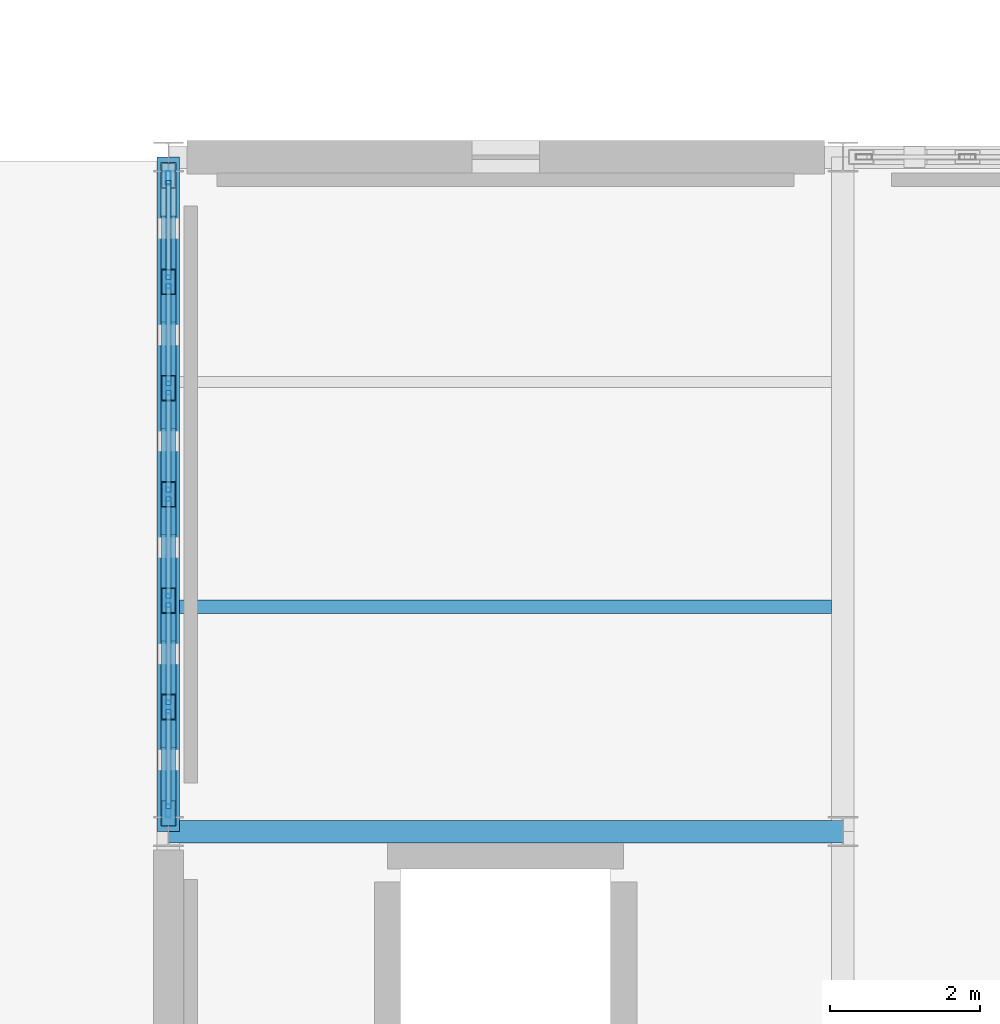
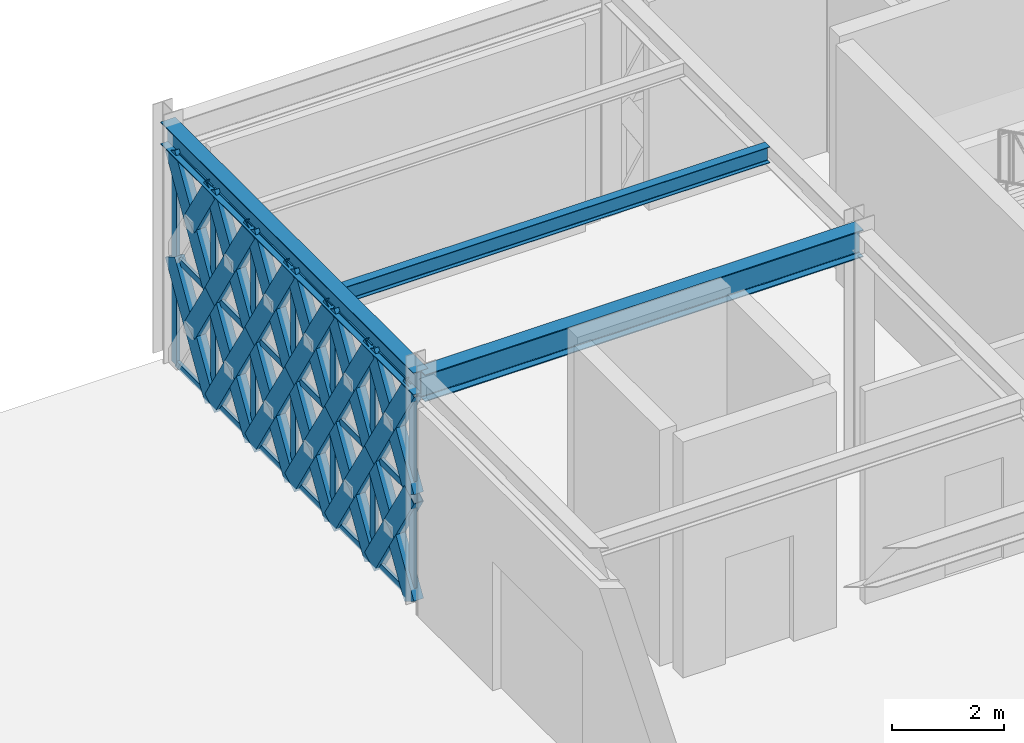
# One storey, part 65 of 140: 59 members, 3 beams, 1 element without a shape of its own.
"""IFC4 building model written with IfcOpenShell, lengths in metres."""

from ifc_helpers import new_model, si_unit, direction, frame, origin, origin_2d, place, context, subcontext, project, spatial, hollow_rectangle, i_section, extrude, material, material_profile, profile_set, type_object, element, aggregate, save


model = new_model("IFC4")

# Units and contexts
model_context = context("Model", 3, precision=1e-05, world=origin(), true_north=direction((0.0, 1.0)))
body_context = subcontext(model_context, "Body", "Model", "MODEL_VIEW")
ifc_project = project(units=[si_unit("LENGTHUNIT", "METRE"), si_unit("AREAUNIT", "SQUARE_METRE"), si_unit("VOLUMEUNIT", "CUBIC_METRE"), si_unit("PLANEANGLEUNIT", "RADIAN"), si_unit("MASSUNIT", "GRAM", prefix="KILO")], contexts=[model_context])

# Site, building, storey
site_placement = place(None, origin())
site = spatial("IfcSite", under=ifc_project, at=site_placement, CompositionType="ELEMENT")
building_placement = place(site_placement, origin())
building = spatial("IfcBuilding", under=site, at=building_placement, Name="Haizhuo Lancet Aquarium", CompositionType="ELEMENT")
storey_placement = place(building_placement, origin())
storey = spatial("IfcBuildingStorey", under=building, at=storey_placement, Name="L00", CompositionType="ELEMENT", Elevation=0.0)

# Beams
ifc_material_1 = material(Name="Steel S355", Category="steel")
ifc_material_profile_1 = material_profile(ifc_material_1, i_section(OverallWidth=0.300048828125, OverallDepth=0.488037109375, WebThickness=0.010986328125, FlangeThickness=0.01806640625, FilletRadius=0.02392578125, at=origin_2d()), Name="HM 488x300x11x18")
ifc_profile_set_1 = profile_set([ifc_material_profile_1], Name="Steel S355")
beam_type_1 = type_object("IfcBeamType", Name="BM-ST-HM488", PredefinedType="BEAM", material=ifc_profile_set_1)
beam_1_placement = place(storey_placement, frame((36.0, 27.0, 4.8759765625), z_axis=(0.0, 1.0, 0.0), x_axis=(-1.0, 0.0, 0.0)))
element("IfcBeam", 1, at=beam_1_placement, inside=storey, type_object=beam_type_1, Name="L00 V7 primary girder BM-L00-V7-004", PredefinedType="BEAM", context=body_context, shape_type="SweptSolid", body=[
    extrude(i_section(OverallWidth=0.300048828125, OverallDepth=0.488037109375, WebThickness=0.010986328125, FlangeThickness=0.01806640625, FilletRadius=0.02392578125, at=origin_2d()), origin(), (0.0, 0.0, 1.0), 9.0),
])
ifc_material_profile_2 = material_profile(ifc_material_1, i_section(OverallWidth=0.300048828125, OverallDepth=0.587890625, WebThickness=0.011962890625, FlangeThickness=0.02001953125, FilletRadius=0.02587890625, at=origin_2d()), Name="HM 588x300x12x20")
ifc_profile_set_2 = profile_set([ifc_material_profile_2], Name="Steel S355")
beam_type_2 = type_object("IfcBeamType", Name="BM-ST-HM588", PredefinedType="BEAM", material=ifc_profile_set_2)
beam_2_placement = place(storey_placement, frame((36.0, 27.0, 4.825927734375), z_axis=(1.0, 0.0, 0.0), x_axis=(0.0, 1.0, 0.0)))
element("IfcBeam", 2, at=beam_2_placement, inside=storey, type_object=beam_type_2, Name="L00 V7 primary girder BM-L00-V7-005", PredefinedType="BEAM", context=body_context, shape_type="SweptSolid", body=[
    extrude(i_section(OverallWidth=0.300048828125, OverallDepth=0.587890625, WebThickness=0.011962890625, FlangeThickness=0.02001953125, FilletRadius=0.02587890625, at=origin_2d()), origin(), (0.0, 0.0, 1.0), 9.0),
])

# Curtain wall, members
ifc_material_2 = material(Name="Aluminium 6063-T6", Category="aluminium")
curtain_wall_type = type_object("IfcCurtainWallType", Name="CWD-8510x4630", PredefinedType="NOTDEFINED", material=ifc_material_2)
curtain_wall_placement = place(storey_placement, origin())
curtain_wall = element("IfcCurtainWall", 3, at=curtain_wall_placement, inside=storey, type_object=curtain_wall_type, Name="L00 curtain wall CW-V7-L00-283", PredefinedType="NOTDEFINED")
ifc_material_profile_3 = material_profile(ifc_material_2, hollow_rectangle(XDim=0.06494140625, YDim=0.179931640625, WallThickness=0.00390625, at=origin_2d()), Name="ALU-M 65x180x4")
ifc_profile_set_3 = profile_set([ifc_material_profile_3], Name="Aluminium 6063-T6")
member_type_1 = type_object("IfcMemberType", Name="CW-MUL-1", PredefinedType="MULLION", material=ifc_profile_set_3)
member_1_placement = place(storey_placement, frame((36.0, 27.277099609375, 0.0), z_axis=(0.0, 0.0, 1.0), x_axis=(-1.0, 0.0, 0.0)))
member_1 = element("IfcMember", 4, at=member_1_placement, type_object=member_type_1, Name="CWD-85x46 mullion 1", PredefinedType="MULLION", context=body_context, shape_type="SweptSolid", body=[
    extrude(hollow_rectangle(XDim=0.06494140625, YDim=0.179931640625, WallThickness=0.00390625, at=origin_2d()), origin(), (0.0, 0.0, 1.0), 4.632080078125),
])
member_2_placement = place(storey_placement, frame((36.0, 28.6630859375, 0.0), z_axis=(0.0, 0.0, 1.0), x_axis=(-1.0, 0.0, 0.0)))
member_2 = element("IfcMember", 5, at=member_2_placement, type_object=member_type_1, Name="CWD-85x46 mullion 2", PredefinedType="MULLION", context=body_context, shape_type="SweptSolid", body=[
    extrude(hollow_rectangle(XDim=0.06494140625, YDim=0.179931640625, WallThickness=0.00390625, at=origin_2d()), origin(), (0.0, 0.0, 1.0), 4.632080078125),
])
member_3_placement = place(storey_placement, frame((36.0, 30.08203125, 0.0), z_axis=(0.0, 0.0, 1.0), x_axis=(-1.0, 0.0, 0.0)))
member_3 = element("IfcMember", 6, at=member_3_placement, type_object=member_type_1, Name="CWD-85x46 mullion 3", PredefinedType="MULLION", context=body_context, shape_type="SweptSolid", body=[
    extrude(hollow_rectangle(XDim=0.06494140625, YDim=0.179931640625, WallThickness=0.00390625, at=origin_2d()), origin(), (0.0, 0.0, 1.0), 4.632080078125),
])
member_4_placement = place(storey_placement, frame((36.0, 31.5, 0.0), z_axis=(0.0, 0.0, 1.0), x_axis=(-1.0, 0.0, 0.0)))
member_4 = element("IfcMember", 7, at=member_4_placement, type_object=member_type_1, Name="CWD-85x46 mullion 4", PredefinedType="MULLION", context=body_context, shape_type="SweptSolid", body=[
    extrude(hollow_rectangle(XDim=0.06494140625, YDim=0.179931640625, WallThickness=0.00390625, at=origin_2d()), origin(), (0.0, 0.0, 1.0), 4.632080078125),
])
member_5_placement = place(storey_placement, frame((36.0, 32.91796875, 0.0), z_axis=(0.0, 0.0, 1.0), x_axis=(-1.0, 0.0, 0.0)))
member_5 = element("IfcMember", 8, at=member_5_placement, type_object=member_type_1, Name="CWD-85x46 mullion 5", PredefinedType="MULLION", context=body_context, shape_type="SweptSolid", body=[
    extrude(hollow_rectangle(XDim=0.06494140625, YDim=0.179931640625, WallThickness=0.00390625, at=origin_2d()), origin(), (0.0, 0.0, 1.0), 4.632080078125),
])
member_6_placement = place(storey_placement, frame((36.0, 34.3369140625, 0.0), z_axis=(0.0, 0.0, 1.0), x_axis=(-1.0, 0.0, 0.0)))
member_6 = element("IfcMember", 9, at=member_6_placement, type_object=member_type_1, Name="CWD-85x46 mullion 6", PredefinedType="MULLION", context=body_context, shape_type="SweptSolid", body=[
    extrude(hollow_rectangle(XDim=0.06494140625, YDim=0.179931640625, WallThickness=0.00390625, at=origin_2d()), origin(), (0.0, 0.0, 1.0), 4.632080078125),
])
member_7_placement = place(storey_placement, frame((36.0, 35.722900390625, 0.0), z_axis=(0.0, 0.0, 1.0), x_axis=(-1.0, 0.0, 0.0)))
member_7 = element("IfcMember", 10, at=member_7_placement, type_object=member_type_1, Name="CWD-85x46 mullion 7", PredefinedType="MULLION", context=body_context, shape_type="SweptSolid", body=[
    extrude(hollow_rectangle(XDim=0.06494140625, YDim=0.179931640625, WallThickness=0.00390625, at=origin_2d()), origin(), (0.0, 0.0, 1.0), 4.632080078125),
])
ifc_material_profile_4 = material_profile(ifc_material_2, hollow_rectangle(XDim=0.06494140625, YDim=0.139892578125, WallThickness=0.00390625, at=origin_2d()), Name="ALU-T 65x140x4")
ifc_profile_set_4 = profile_set([ifc_material_profile_4], Name="Aluminium 6063-T6")
member_type_2 = type_object("IfcMemberType", Name="CW-TRN-1", PredefinedType="NOTDEFINED", material=ifc_profile_set_4)
member_8_placement = place(storey_placement, frame((36.0, 27.31005859375, 0.032958984375), z_axis=(0.0, 1.0, 0.0), x_axis=(-1.0, 0.0, 0.0)))
member_8 = element("IfcMember", 11, at=member_8_placement, type_object=member_type_2, Name="CWD-85x46 transom 1.1", ObjectType="TRANSOM", PredefinedType="USERDEFINED", context=body_context, shape_type="SweptSolid", body=[
    extrude(hollow_rectangle(XDim=0.06494140625, YDim=0.139892578125, WallThickness=0.00390625, at=origin_2d()), origin(), (0.0, 0.0, 1.0), 1.321044921875),
])
member_9_placement = place(storey_placement, frame((36.0, 27.31005859375, 2.31591796875), z_axis=(0.0, 1.0, 0.0), x_axis=(-1.0, 0.0, 0.0)))
member_9 = element("IfcMember", 12, at=member_9_placement, type_object=member_type_2, Name="CWD-85x46 transom 1.2", ObjectType="TRANSOM", PredefinedType="USERDEFINED", context=body_context, shape_type="SweptSolid", body=[
    extrude(hollow_rectangle(XDim=0.06494140625, YDim=0.139892578125, WallThickness=0.00390625, at=origin_2d()), origin(), (0.0, 0.0, 1.0), 1.321044921875),
])
member_10_placement = place(storey_placement, frame((36.0, 27.31005859375, 4.59912109375), z_axis=(0.0, 1.0, 0.0), x_axis=(-1.0, 0.0, 0.0)))
member_10 = element("IfcMember", 13, at=member_10_placement, type_object=member_type_2, Name="CWD-85x46 transom 1.3", ObjectType="TRANSOM", PredefinedType="USERDEFINED", context=body_context, shape_type="SweptSolid", body=[
    extrude(hollow_rectangle(XDim=0.06494140625, YDim=0.139892578125, WallThickness=0.00390625, at=origin_2d()), origin(), (0.0, 0.0, 1.0), 1.321044921875),
])
member_11_placement = place(storey_placement, frame((36.0, 28.696044921875, 0.032958984375), z_axis=(0.0, 1.0, 0.0), x_axis=(-1.0, 0.0, 0.0)))
member_11 = element("IfcMember", 14, at=member_11_placement, type_object=member_type_2, Name="CWD-85x46 transom 2.1", ObjectType="TRANSOM", PredefinedType="USERDEFINED", context=body_context, shape_type="SweptSolid", body=[
    extrude(hollow_rectangle(XDim=0.06494140625, YDim=0.139892578125, WallThickness=0.00390625, at=origin_2d()), origin(), (0.0, 0.0, 1.0), 1.35302734375),
])
member_12_placement = place(storey_placement, frame((36.0, 28.696044921875, 2.31591796875), z_axis=(0.0, 1.0, 0.0), x_axis=(-1.0, 0.0, 0.0)))
member_12 = element("IfcMember", 15, at=member_12_placement, type_object=member_type_2, Name="CWD-85x46 transom 2.2", ObjectType="TRANSOM", PredefinedType="USERDEFINED", context=body_context, shape_type="SweptSolid", body=[
    extrude(hollow_rectangle(XDim=0.06494140625, YDim=0.139892578125, WallThickness=0.00390625, at=origin_2d()), origin(), (0.0, 0.0, 1.0), 1.35302734375),
])
member_13_placement = place(storey_placement, frame((36.0, 28.696044921875, 4.59912109375), z_axis=(0.0, 1.0, 0.0), x_axis=(-1.0, 0.0, 0.0)))
member_13 = element("IfcMember", 16, at=member_13_placement, type_object=member_type_2, Name="CWD-85x46 transom 2.3", ObjectType="TRANSOM", PredefinedType="USERDEFINED", context=body_context, shape_type="SweptSolid", body=[
    extrude(hollow_rectangle(XDim=0.06494140625, YDim=0.139892578125, WallThickness=0.00390625, at=origin_2d()), origin(), (0.0, 0.0, 1.0), 1.35302734375),
])
member_14_placement = place(storey_placement, frame((36.0, 30.114013671875, 0.032958984375), z_axis=(0.0, 1.0, 0.0), x_axis=(-1.0, 0.0, 0.0)))
member_14 = element("IfcMember", 17, at=member_14_placement, type_object=member_type_2, Name="CWD-85x46 transom 3.1", ObjectType="TRANSOM", PredefinedType="USERDEFINED", context=body_context, shape_type="SweptSolid", body=[
    extrude(hollow_rectangle(XDim=0.06494140625, YDim=0.139892578125, WallThickness=0.00390625, at=origin_2d()), origin(), (0.0, 0.0, 1.0), 1.35400390625),
])
member_15_placement = place(storey_placement, frame((36.0, 30.114013671875, 2.31591796875), z_axis=(0.0, 1.0, 0.0), x_axis=(-1.0, 0.0, 0.0)))
member_15 = element("IfcMember", 18, at=member_15_placement, type_object=member_type_2, Name="CWD-85x46 transom 3.2", ObjectType="TRANSOM", PredefinedType="USERDEFINED", context=body_context, shape_type="SweptSolid", body=[
    extrude(hollow_rectangle(XDim=0.06494140625, YDim=0.139892578125, WallThickness=0.00390625, at=origin_2d()), origin(), (0.0, 0.0, 1.0), 1.35400390625),
])
member_16_placement = place(storey_placement, frame((36.0, 30.114013671875, 4.59912109375), z_axis=(0.0, 1.0, 0.0), x_axis=(-1.0, 0.0, 0.0)))
member_16 = element("IfcMember", 19, at=member_16_placement, type_object=member_type_2, Name="CWD-85x46 transom 3.3", ObjectType="TRANSOM", PredefinedType="USERDEFINED", context=body_context, shape_type="SweptSolid", body=[
    extrude(hollow_rectangle(XDim=0.06494140625, YDim=0.139892578125, WallThickness=0.00390625, at=origin_2d()), origin(), (0.0, 0.0, 1.0), 1.35400390625),
])
member_17_placement = place(storey_placement, frame((36.0, 31.532958984375, 0.032958984375), z_axis=(0.0, 1.0, 0.0), x_axis=(-1.0, 0.0, 0.0)))
member_17 = element("IfcMember", 20, at=member_17_placement, type_object=member_type_2, Name="CWD-85x46 transom 4.1", ObjectType="TRANSOM", PredefinedType="USERDEFINED", context=body_context, shape_type="SweptSolid", body=[
    extrude(hollow_rectangle(XDim=0.06494140625, YDim=0.139892578125, WallThickness=0.00390625, at=origin_2d()), origin(), (0.0, 0.0, 1.0), 1.35302734375),
])
member_18_placement = place(storey_placement, frame((36.0, 31.532958984375, 2.31591796875), z_axis=(0.0, 1.0, 0.0), x_axis=(-1.0, 0.0, 0.0)))
member_18 = element("IfcMember", 21, at=member_18_placement, type_object=member_type_2, Name="CWD-85x46 transom 4.2", ObjectType="TRANSOM", PredefinedType="USERDEFINED", context=body_context, shape_type="SweptSolid", body=[
    extrude(hollow_rectangle(XDim=0.06494140625, YDim=0.139892578125, WallThickness=0.00390625, at=origin_2d()), origin(), (0.0, 0.0, 1.0), 1.35302734375),
])
member_19_placement = place(storey_placement, frame((36.0, 31.532958984375, 4.59912109375), z_axis=(0.0, 1.0, 0.0), x_axis=(-1.0, 0.0, 0.0)))
member_19 = element("IfcMember", 22, at=member_19_placement, type_object=member_type_2, Name="CWD-85x46 transom 4.3", ObjectType="TRANSOM", PredefinedType="USERDEFINED", context=body_context, shape_type="SweptSolid", body=[
    extrude(hollow_rectangle(XDim=0.06494140625, YDim=0.139892578125, WallThickness=0.00390625, at=origin_2d()), origin(), (0.0, 0.0, 1.0), 1.35302734375),
])
member_20_placement = place(storey_placement, frame((36.0, 32.950927734375, 0.032958984375), z_axis=(0.0, 1.0, 0.0), x_axis=(-1.0, 0.0, 0.0)))
member_20 = element("IfcMember", 23, at=member_20_placement, type_object=member_type_2, Name="CWD-85x46 transom 5.1", ObjectType="TRANSOM", PredefinedType="USERDEFINED", context=body_context, shape_type="SweptSolid", body=[
    extrude(hollow_rectangle(XDim=0.06494140625, YDim=0.139892578125, WallThickness=0.00390625, at=origin_2d()), origin(), (0.0, 0.0, 1.0), 1.35302734375),
])
member_21_placement = place(storey_placement, frame((36.0, 32.950927734375, 2.31591796875), z_axis=(0.0, 1.0, 0.0), x_axis=(-1.0, 0.0, 0.0)))
member_21 = element("IfcMember", 24, at=member_21_placement, type_object=member_type_2, Name="CWD-85x46 transom 5.2", ObjectType="TRANSOM", PredefinedType="USERDEFINED", context=body_context, shape_type="SweptSolid", body=[
    extrude(hollow_rectangle(XDim=0.06494140625, YDim=0.139892578125, WallThickness=0.00390625, at=origin_2d()), origin(), (0.0, 0.0, 1.0), 1.35302734375),
])
member_22_placement = place(storey_placement, frame((36.0, 32.950927734375, 4.59912109375), z_axis=(0.0, 1.0, 0.0), x_axis=(-1.0, 0.0, 0.0)))
member_22 = element("IfcMember", 25, at=member_22_placement, type_object=member_type_2, Name="CWD-85x46 transom 5.3", ObjectType="TRANSOM", PredefinedType="USERDEFINED", context=body_context, shape_type="SweptSolid", body=[
    extrude(hollow_rectangle(XDim=0.06494140625, YDim=0.139892578125, WallThickness=0.00390625, at=origin_2d()), origin(), (0.0, 0.0, 1.0), 1.35302734375),
])
member_23_placement = place(storey_placement, frame((36.0, 34.368896484375, 0.032958984375), z_axis=(0.0, 1.0, 0.0), x_axis=(-1.0, 0.0, 0.0)))
member_23 = element("IfcMember", 26, at=member_23_placement, type_object=member_type_2, Name="CWD-85x46 transom 6.1", ObjectType="TRANSOM", PredefinedType="USERDEFINED", context=body_context, shape_type="SweptSolid", body=[
    extrude(hollow_rectangle(XDim=0.06494140625, YDim=0.139892578125, WallThickness=0.00390625, at=origin_2d()), origin(), (0.0, 0.0, 1.0), 1.321044921875),
])
member_24_placement = place(storey_placement, frame((36.0, 34.368896484375, 2.31591796875), z_axis=(0.0, 1.0, 0.0), x_axis=(-1.0, 0.0, 0.0)))
member_24 = element("IfcMember", 27, at=member_24_placement, type_object=member_type_2, Name="CWD-85x46 transom 6.2", ObjectType="TRANSOM", PredefinedType="USERDEFINED", context=body_context, shape_type="SweptSolid", body=[
    extrude(hollow_rectangle(XDim=0.06494140625, YDim=0.139892578125, WallThickness=0.00390625, at=origin_2d()), origin(), (0.0, 0.0, 1.0), 1.321044921875),
])
member_25_placement = place(storey_placement, frame((36.0, 34.368896484375, 4.59912109375), z_axis=(0.0, 1.0, 0.0), x_axis=(-1.0, 0.0, 0.0)))
member_25 = element("IfcMember", 28, at=member_25_placement, type_object=member_type_2, Name="CWD-85x46 transom 6.3", ObjectType="TRANSOM", PredefinedType="USERDEFINED", context=body_context, shape_type="SweptSolid", body=[
    extrude(hollow_rectangle(XDim=0.06494140625, YDim=0.139892578125, WallThickness=0.00390625, at=origin_2d()), origin(), (0.0, 0.0, 1.0), 1.321044921875),
])
aggregate(curtain_wall, [member_1, member_2, member_3, member_4, member_5, member_6, member_7, member_8, member_9, member_10, member_11, member_12, member_13, member_14, member_15, member_16, member_17, member_18, member_19, member_20, member_21, member_22, member_23, member_24, member_25])

# Beam
ifc_material_profile_5 = material_profile(ifc_material_1, i_section(OverallWidth=0.175048828125, OverallDepth=0.35009765625, WebThickness=0.007080078125, FlangeThickness=0.010986328125, FilletRadius=0.013916015625, at=origin_2d()), Name="HN 350x175x7x11")
ifc_profile_set_5 = profile_set([ifc_material_profile_5], Name="Steel S355")
beam_type_3 = type_object("IfcBeamType", Name="JST-ST-HN350", PredefinedType="JOIST", material=ifc_profile_set_5)
beam_3_placement = place(storey_placement, frame((36.14990234375, 30.0, 4.945068359375), z_axis=(1.0, 0.0, 0.0), x_axis=(0.0, 1.0, 0.0)))
element("IfcBeam", 29, at=beam_3_placement, inside=storey, type_object=beam_type_3, Name="L00 V7 secondary floor joist 2", PredefinedType="JOIST", context=body_context, shape_type="SweptSolid", body=[
    extrude(i_section(OverallWidth=0.175048828125, OverallDepth=0.35009765625, WebThickness=0.007080078125, FlangeThickness=0.010986328125, FilletRadius=0.013916015625, at=origin_2d()), origin(), (0.0, 0.0, 1.0), 8.7001953125),
])

# Members
ifc_material_profile_6 = material_profile(ifc_material_1, hollow_rectangle(XDim=0.199951171875, YDim=0.39990234375, WallThickness=0.011962890625, at=origin_2d()), Name="RHS 200x400x12")
ifc_profile_set_6 = profile_set([ifc_material_profile_6], Name="Steel S355")
member_type_3 = type_object("IfcMemberType", Name="MEM-LB-RHS200x400", PredefinedType="BRACE", material=ifc_profile_set_6)
member_26_placement = place(storey_placement, frame((36.0, 27.2451171875, 0.0), z_axis=(0.0, 0.52216987418, 0.852841499048), x_axis=(-1.0, 0.0, 0.0)))
element("IfcMember", 30, at=member_26_placement, inside=storey, type_object=member_type_3, Name="Gothic lancet continuous diagonal brace CW-V7-L00-283 1A", PredefinedType="BRACE", context=body_context, shape_type="SweptSolid", body=[
    extrude(hollow_rectangle(XDim=0.199951171875, YDim=0.39990234375, WallThickness=0.011962890625, at=origin_2d()), origin(), (0.0, 0.0, 1.0), 2.715576171875),
])
for number, where, z_axis, x_axis, name in (
    (31, (36.0, 28.6630859375, 0.0), (0.0, -0.52216987418, 0.852841499048), (1.0, 0.0, 0.0), "Gothic lancet split diagonal brace CW-V7-L00-283 1B1"),
    (32, (36.0, 27.9541015625, 1.157958984375), (0.0, -0.52216987418, 0.852841499048), (1.0, 0.0, 0.0), "Gothic lancet split diagonal brace CW-V7-L00-283 1B2"),
):
    element("IfcMember", number, at=place(storey_placement, frame(where, z_axis=z_axis, x_axis=x_axis)), inside=storey, type_object=member_type_3, Name=name, PredefinedType="BRACE", context=body_context, shape_type="SweptSolid", body=[
        extrude(hollow_rectangle(XDim=0.199951171875, YDim=0.39990234375, WallThickness=0.011962890625, at=origin_2d()), origin(), (0.0, 0.0, 1.0), 1.357666015625),
    ])
member_27_placement = place(storey_placement, frame((36.0, 27.2451171875, 2.31591796875), z_axis=(0.0, 0.522129839323, 0.852866009927), x_axis=(-1.0, 0.0, 0.0)))
element("IfcMember", 33, at=member_27_placement, inside=storey, type_object=member_type_3, Name="Gothic lancet continuous diagonal brace CW-V7-L00-283 2A", PredefinedType="BRACE", context=body_context, shape_type="SweptSolid", body=[
    extrude(hollow_rectangle(XDim=0.199951171875, YDim=0.39990234375, WallThickness=0.011962890625, at=origin_2d()), origin(), (0.0, 0.0, 1.0), 2.7158203125),
])
member_28_placement = place(storey_placement, frame((36.0, 28.6630859375, 2.31591796875), z_axis=(0.0, -0.522089809454, 0.852890515168), x_axis=(1.0, 0.0, 0.0)))
element("IfcMember", 34, at=member_28_placement, inside=storey, type_object=member_type_3, Name="Gothic lancet split diagonal brace CW-V7-L00-283 2B1", PredefinedType="BRACE", context=body_context, shape_type="SweptSolid", body=[
    extrude(hollow_rectangle(XDim=0.199951171875, YDim=0.39990234375, WallThickness=0.011962890625, at=origin_2d()), origin(), (0.0, 0.0, 1.0), 1.35791015625),
])
member_29_placement = place(storey_placement, frame((36.0, 27.9541015625, 3.47412109375), z_axis=(0.0, -0.52216987418, 0.852841499048), x_axis=(1.0, 0.0, 0.0)))
element("IfcMember", 35, at=member_29_placement, inside=storey, type_object=member_type_3, Name="Gothic lancet split diagonal brace CW-V7-L00-283 2B2", PredefinedType="BRACE", context=body_context, shape_type="SweptSolid", body=[
    extrude(hollow_rectangle(XDim=0.199951171875, YDim=0.39990234375, WallThickness=0.011962890625, at=origin_2d()), origin(), (0.0, 0.0, 1.0), 1.357666015625),
])
member_30_placement = place(storey_placement, frame((36.0, 28.6630859375, 0.0), z_axis=(0.0, 0.522431366844, 0.852681339621), x_axis=(-1.0, 0.0, 0.0)))
element("IfcMember", 36, at=member_30_placement, inside=storey, type_object=member_type_3, Name="Gothic lancet continuous diagonal brace CW-V7-L00-283 3A", PredefinedType="BRACE", context=body_context, shape_type="SweptSolid", body=[
    extrude(hollow_rectangle(XDim=0.199951171875, YDim=0.39990234375, WallThickness=0.011962890625, at=origin_2d()), origin(), (0.0, 0.0, 1.0), 2.716064453125),
])
member_31_placement = place(storey_placement, frame((36.0, 30.08203125, 0.0), z_axis=(0.0, -0.52216987418, 0.852841499048), x_axis=(1.0, 0.0, 0.0)))
element("IfcMember", 37, at=member_31_placement, inside=storey, type_object=member_type_3, Name="Gothic lancet split diagonal brace CW-V7-L00-283 3B1", PredefinedType="BRACE", context=body_context, shape_type="SweptSolid", body=[
    extrude(hollow_rectangle(XDim=0.199951171875, YDim=0.39990234375, WallThickness=0.011962890625, at=origin_2d()), origin(), (0.0, 0.0, 1.0), 1.357666015625),
])
member_32_placement = place(storey_placement, frame((36.0, 29.373046875, 1.157958984375), z_axis=(0.0, -0.522692712191, 0.85252116022), x_axis=(1.0, 0.0, 0.0)))
element("IfcMember", 38, at=member_32_placement, inside=storey, type_object=member_type_3, Name="Gothic lancet split diagonal brace CW-V7-L00-283 3B2", PredefinedType="BRACE", context=body_context, shape_type="SweptSolid", body=[
    extrude(hollow_rectangle(XDim=0.199951171875, YDim=0.39990234375, WallThickness=0.011962890625, at=origin_2d()), origin(), (0.0, 0.0, 1.0), 1.358154296875),
])
member_33_placement = place(storey_placement, frame((36.0, 28.6630859375, 2.31591796875), z_axis=(0.0, 0.522391326979, 0.852705870449), x_axis=(-1.0, 0.0, 0.0)))
element("IfcMember", 39, at=member_33_placement, inside=storey, type_object=member_type_3, Name="Gothic lancet continuous diagonal brace CW-V7-L00-283 4A", PredefinedType="BRACE", context=body_context, shape_type="SweptSolid", body=[
    extrude(hollow_rectangle(XDim=0.199951171875, YDim=0.39990234375, WallThickness=0.011962890625, at=origin_2d()), origin(), (0.0, 0.0, 1.0), 2.71630859375),
])
member_34_placement = place(storey_placement, frame((36.0, 30.08203125, 2.31591796875), z_axis=(0.0, -0.522089809454, 0.852890515168), x_axis=(1.0, 0.0, 0.0)))
element("IfcMember", 40, at=member_34_placement, inside=storey, type_object=member_type_3, Name="Gothic lancet split diagonal brace CW-V7-L00-283 4B1", PredefinedType="BRACE", context=body_context, shape_type="SweptSolid", body=[
    extrude(hollow_rectangle(XDim=0.199951171875, YDim=0.39990234375, WallThickness=0.011962890625, at=origin_2d()), origin(), (0.0, 0.0, 1.0), 1.35791015625),
])
member_35_placement = place(storey_placement, frame((36.0, 29.373046875, 3.47412109375), z_axis=(0.0, -0.522692712191, 0.85252116022), x_axis=(1.0, 0.0, 0.0)))
element("IfcMember", 41, at=member_35_placement, inside=storey, type_object=member_type_3, Name="Gothic lancet split diagonal brace CW-V7-L00-283 4B2", PredefinedType="BRACE", context=body_context, shape_type="SweptSolid", body=[
    extrude(hollow_rectangle(XDim=0.199951171875, YDim=0.39990234375, WallThickness=0.011962890625, at=origin_2d()), origin(), (0.0, 0.0, 1.0), 1.358154296875),
])
member_36_placement = place(storey_placement, frame((36.0, 30.08203125, 0.0), z_axis=(0.0, 0.52216987418, 0.852841499048), x_axis=(-1.0, 0.0, 0.0)))
element("IfcMember", 42, at=member_36_placement, inside=storey, type_object=member_type_3, Name="Gothic lancet continuous diagonal brace CW-V7-L00-283 5A", PredefinedType="BRACE", context=body_context, shape_type="SweptSolid", body=[
    extrude(hollow_rectangle(XDim=0.199951171875, YDim=0.39990234375, WallThickness=0.011962890625, at=origin_2d()), origin(), (0.0, 0.0, 1.0), 2.715576171875),
])
for number, where, z_axis, x_axis, name in (
    (43, (36.0, 31.5, 0.0), (0.0, -0.52216987418, 0.852841499048), (1.0, 0.0, 0.0), "Gothic lancet split diagonal brace CW-V7-L00-283 5B1"),
    (44, (36.0, 30.791015625, 1.157958984375), (0.0, -0.52216987418, 0.852841499048), (1.0, 0.0, 0.0), "Gothic lancet split diagonal brace CW-V7-L00-283 5B2"),
):
    element("IfcMember", number, at=place(storey_placement, frame(where, z_axis=z_axis, x_axis=x_axis)), inside=storey, type_object=member_type_3, Name=name, PredefinedType="BRACE", context=body_context, shape_type="SweptSolid", body=[
        extrude(hollow_rectangle(XDim=0.199951171875, YDim=0.39990234375, WallThickness=0.011962890625, at=origin_2d()), origin(), (0.0, 0.0, 1.0), 1.357666015625),
    ])
member_37_placement = place(storey_placement, frame((36.0, 30.08203125, 2.31591796875), z_axis=(0.0, 0.522129839323, 0.852866009927), x_axis=(-1.0, 0.0, 0.0)))
element("IfcMember", 45, at=member_37_placement, inside=storey, type_object=member_type_3, Name="Gothic lancet continuous diagonal brace CW-V7-L00-283 6A", PredefinedType="BRACE", context=body_context, shape_type="SweptSolid", body=[
    extrude(hollow_rectangle(XDim=0.199951171875, YDim=0.39990234375, WallThickness=0.011962890625, at=origin_2d()), origin(), (0.0, 0.0, 1.0), 2.7158203125),
])
member_38_placement = place(storey_placement, frame((36.0, 31.5, 2.31591796875), z_axis=(0.0, -0.522089809454, 0.852890515168), x_axis=(1.0, 0.0, 0.0)))
element("IfcMember", 46, at=member_38_placement, inside=storey, type_object=member_type_3, Name="Gothic lancet split diagonal brace CW-V7-L00-283 6B1", PredefinedType="BRACE", context=body_context, shape_type="SweptSolid", body=[
    extrude(hollow_rectangle(XDim=0.199951171875, YDim=0.39990234375, WallThickness=0.011962890625, at=origin_2d()), origin(), (0.0, 0.0, 1.0), 1.35791015625),
])
member_39_placement = place(storey_placement, frame((36.0, 30.791015625, 3.47412109375), z_axis=(0.0, -0.52216987418, 0.852841499048), x_axis=(1.0, 0.0, 0.0)))
element("IfcMember", 47, at=member_39_placement, inside=storey, type_object=member_type_3, Name="Gothic lancet split diagonal brace CW-V7-L00-283 6B2", PredefinedType="BRACE", context=body_context, shape_type="SweptSolid", body=[
    extrude(hollow_rectangle(XDim=0.199951171875, YDim=0.39990234375, WallThickness=0.011962890625, at=origin_2d()), origin(), (0.0, 0.0, 1.0), 1.357666015625),
])
member_40_placement = place(storey_placement, frame((36.0, 31.5, 0.0), z_axis=(0.0, 0.52216987418, 0.852841499048), x_axis=(-1.0, 0.0, 0.0)))
element("IfcMember", 48, at=member_40_placement, inside=storey, type_object=member_type_3, Name="Gothic lancet continuous diagonal brace CW-V7-L00-283 7A", PredefinedType="BRACE", context=body_context, shape_type="SweptSolid", body=[
    extrude(hollow_rectangle(XDim=0.199951171875, YDim=0.39990234375, WallThickness=0.011962890625, at=origin_2d()), origin(), (0.0, 0.0, 1.0), 2.715576171875),
])
for number, where, z_axis, x_axis, name in (
    (49, (36.0, 32.91796875, 0.0), (0.0, -0.52216987418, 0.852841499048), (1.0, 0.0, 0.0), "Gothic lancet split diagonal brace CW-V7-L00-283 7B1"),
    (50, (36.0, 32.208984375, 1.157958984375), (0.0, -0.52216987418, 0.852841499048), (1.0, 0.0, 0.0), "Gothic lancet split diagonal brace CW-V7-L00-283 7B2"),
):
    element("IfcMember", number, at=place(storey_placement, frame(where, z_axis=z_axis, x_axis=x_axis)), inside=storey, type_object=member_type_3, Name=name, PredefinedType="BRACE", context=body_context, shape_type="SweptSolid", body=[
        extrude(hollow_rectangle(XDim=0.199951171875, YDim=0.39990234375, WallThickness=0.011962890625, at=origin_2d()), origin(), (0.0, 0.0, 1.0), 1.357666015625),
    ])
member_41_placement = place(storey_placement, frame((36.0, 31.5, 2.31591796875), z_axis=(0.0, 0.522129839323, 0.852866009927), x_axis=(-1.0, 0.0, 0.0)))
element("IfcMember", 51, at=member_41_placement, inside=storey, type_object=member_type_3, Name="Gothic lancet continuous diagonal brace CW-V7-L00-283 8A", PredefinedType="BRACE", context=body_context, shape_type="SweptSolid", body=[
    extrude(hollow_rectangle(XDim=0.199951171875, YDim=0.39990234375, WallThickness=0.011962890625, at=origin_2d()), origin(), (0.0, 0.0, 1.0), 2.7158203125),
])
member_42_placement = place(storey_placement, frame((36.0, 32.91796875, 2.31591796875), z_axis=(0.0, -0.522089809454, 0.852890515168), x_axis=(1.0, 0.0, 0.0)))
element("IfcMember", 52, at=member_42_placement, inside=storey, type_object=member_type_3, Name="Gothic lancet split diagonal brace CW-V7-L00-283 8B1", PredefinedType="BRACE", context=body_context, shape_type="SweptSolid", body=[
    extrude(hollow_rectangle(XDim=0.199951171875, YDim=0.39990234375, WallThickness=0.011962890625, at=origin_2d()), origin(), (0.0, 0.0, 1.0), 1.35791015625),
])
member_43_placement = place(storey_placement, frame((36.0, 32.208984375, 3.47412109375), z_axis=(0.0, -0.52216987418, 0.852841499048), x_axis=(1.0, 0.0, 0.0)))
element("IfcMember", 53, at=member_43_placement, inside=storey, type_object=member_type_3, Name="Gothic lancet split diagonal brace CW-V7-L00-283 8B2", PredefinedType="BRACE", context=body_context, shape_type="SweptSolid", body=[
    extrude(hollow_rectangle(XDim=0.199951171875, YDim=0.39990234375, WallThickness=0.011962890625, at=origin_2d()), origin(), (0.0, 0.0, 1.0), 1.357666015625),
])
member_44_placement = place(storey_placement, frame((36.0, 32.91796875, 0.0), z_axis=(0.0, 0.522431366844, 0.852681339621), x_axis=(-1.0, 0.0, 0.0)))
element("IfcMember", 54, at=member_44_placement, inside=storey, type_object=member_type_3, Name="Gothic lancet continuous diagonal brace CW-V7-L00-283 9A", PredefinedType="BRACE", context=body_context, shape_type="SweptSolid", body=[
    extrude(hollow_rectangle(XDim=0.199951171875, YDim=0.39990234375, WallThickness=0.011962890625, at=origin_2d()), origin(), (0.0, 0.0, 1.0), 2.716064453125),
])
member_45_placement = place(storey_placement, frame((36.0, 34.3369140625, 0.0), z_axis=(0.0, -0.522692712191, 0.85252116022), x_axis=(1.0, 0.0, 0.0)))
element("IfcMember", 55, at=member_45_placement, inside=storey, type_object=member_type_3, Name="Gothic lancet split diagonal brace CW-V7-L00-283 9B1", PredefinedType="BRACE", context=body_context, shape_type="SweptSolid", body=[
    extrude(hollow_rectangle(XDim=0.199951171875, YDim=0.39990234375, WallThickness=0.011962890625, at=origin_2d()), origin(), (0.0, 0.0, 1.0), 1.358154296875),
])
member_46_placement = place(storey_placement, frame((36.0, 33.626953125, 1.157958984375), z_axis=(0.0, -0.52216987418, 0.852841499048), x_axis=(1.0, 0.0, 0.0)))
element("IfcMember", 56, at=member_46_placement, inside=storey, type_object=member_type_3, Name="Gothic lancet split diagonal brace CW-V7-L00-283 9B2", PredefinedType="BRACE", context=body_context, shape_type="SweptSolid", body=[
    extrude(hollow_rectangle(XDim=0.199951171875, YDim=0.39990234375, WallThickness=0.011962890625, at=origin_2d()), origin(), (0.0, 0.0, 1.0), 1.357666015625),
])
member_47_placement = place(storey_placement, frame((36.0, 32.91796875, 2.31591796875), z_axis=(0.0, 0.522391326979, 0.852705870449), x_axis=(-1.0, 0.0, 0.0)))
element("IfcMember", 57, at=member_47_placement, inside=storey, type_object=member_type_3, Name="Gothic lancet continuous diagonal brace CW-V7-L00-283 10A", PredefinedType="BRACE", context=body_context, shape_type="SweptSolid", body=[
    extrude(hollow_rectangle(XDim=0.199951171875, YDim=0.39990234375, WallThickness=0.011962890625, at=origin_2d()), origin(), (0.0, 0.0, 1.0), 2.71630859375),
])
member_48_placement = place(storey_placement, frame((36.0, 34.3369140625, 2.31591796875), z_axis=(0.0, -0.522612627479, 0.852570256108), x_axis=(1.0, 0.0, 0.0)))
element("IfcMember", 58, at=member_48_placement, inside=storey, type_object=member_type_3, Name="Gothic lancet split diagonal brace CW-V7-L00-283 10B1", PredefinedType="BRACE", context=body_context, shape_type="SweptSolid", body=[
    extrude(hollow_rectangle(XDim=0.199951171875, YDim=0.39990234375, WallThickness=0.011962890625, at=origin_2d()), origin(), (0.0, 0.0, 1.0), 1.3583984375),
])
member_49_placement = place(storey_placement, frame((36.0, 33.626953125, 3.47412109375), z_axis=(0.0, -0.52216987418, 0.852841499048), x_axis=(1.0, 0.0, 0.0)))
element("IfcMember", 59, at=member_49_placement, inside=storey, type_object=member_type_3, Name="Gothic lancet split diagonal brace CW-V7-L00-283 10B2", PredefinedType="BRACE", context=body_context, shape_type="SweptSolid", body=[
    extrude(hollow_rectangle(XDim=0.199951171875, YDim=0.39990234375, WallThickness=0.011962890625, at=origin_2d()), origin(), (0.0, 0.0, 1.0), 1.357666015625),
])
member_50_placement = place(storey_placement, frame((36.0, 34.3369140625, 0.0), z_axis=(0.0, 0.52216987418, 0.852841499048), x_axis=(-1.0, 0.0, 0.0)))
element("IfcMember", 60, at=member_50_placement, inside=storey, type_object=member_type_3, Name="Gothic lancet continuous diagonal brace CW-V7-L00-283 11A", PredefinedType="BRACE", context=body_context, shape_type="SweptSolid", body=[
    extrude(hollow_rectangle(XDim=0.199951171875, YDim=0.39990234375, WallThickness=0.011962890625, at=origin_2d()), origin(), (0.0, 0.0, 1.0), 2.715576171875),
])
member_51_placement = place(storey_placement, frame((36.0, 35.0458984375, 1.157958984375), z_axis=(0.0, -0.52216987418, 0.852841499048), x_axis=(1.0, 0.0, 0.0)))
element("IfcMember", 61, at=member_51_placement, inside=storey, type_object=member_type_3, Name="Gothic lancet split diagonal brace CW-V7-L00-283 11B2", PredefinedType="BRACE", context=body_context, shape_type="SweptSolid", body=[
    extrude(hollow_rectangle(XDim=0.199951171875, YDim=0.39990234375, WallThickness=0.011962890625, at=origin_2d()), origin(), (0.0, 0.0, 1.0), 1.357666015625),
])
member_52_placement = place(storey_placement, frame((36.0, 34.3369140625, 2.31591796875), z_axis=(0.0, 0.522129839323, 0.852866009927), x_axis=(-1.0, 0.0, 0.0)))
element("IfcMember", 62, at=member_52_placement, inside=storey, type_object=member_type_3, Name="Gothic lancet continuous diagonal brace CW-V7-L00-283 12A", PredefinedType="BRACE", context=body_context, shape_type="SweptSolid", body=[
    extrude(hollow_rectangle(XDim=0.199951171875, YDim=0.39990234375, WallThickness=0.011962890625, at=origin_2d()), origin(), (0.0, 0.0, 1.0), 2.7158203125),
])
member_53_placement = place(storey_placement, frame((36.0, 35.0458984375, 3.47412109375), z_axis=(0.0, -0.52216987418, 0.852841499048), x_axis=(1.0, 0.0, 0.0)))
element("IfcMember", 63, at=member_53_placement, inside=storey, type_object=member_type_3, Name="Gothic lancet split diagonal brace CW-V7-L00-283 12B2", PredefinedType="BRACE", context=body_context, shape_type="SweptSolid", body=[
    extrude(hollow_rectangle(XDim=0.199951171875, YDim=0.39990234375, WallThickness=0.011962890625, at=origin_2d()), origin(), (0.0, 0.0, 1.0), 1.357666015625),
])

save(model, "model.ifc")
